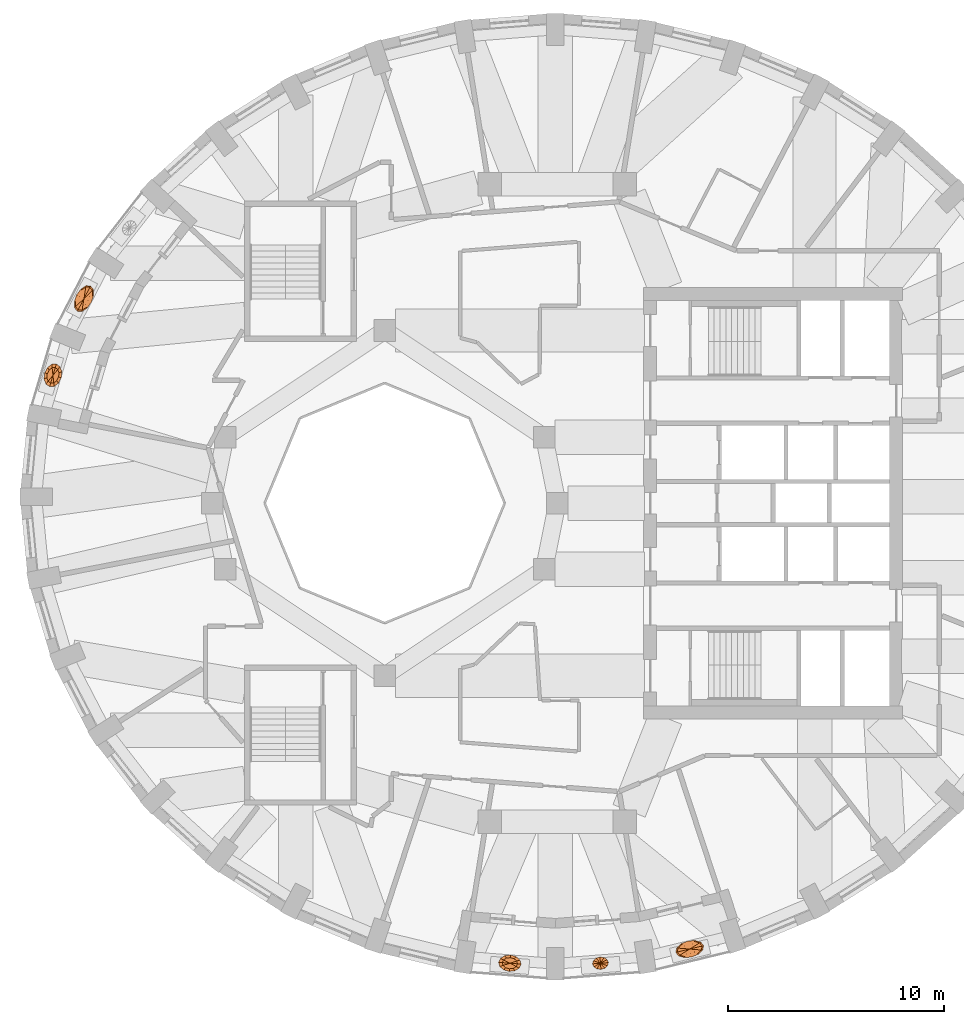
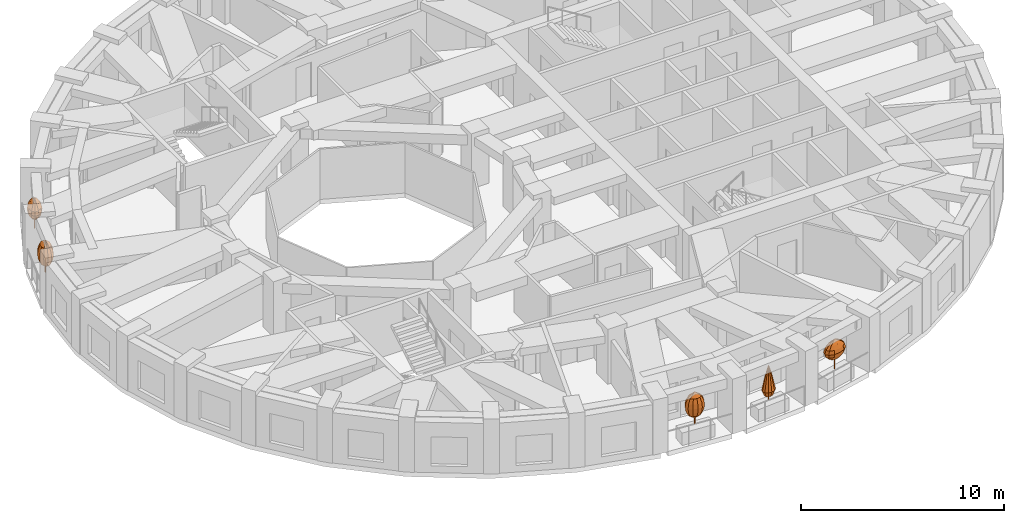
# One storey, part 11 of 12: 5 geographic elements.
"""IFC4 building model written with IfcOpenShell, lengths in metres."""

import ifcopenshell
import ifcopenshell.guid

model = None  # the IFC model being written
_history = None  # IfcOwnerHistory: only IFC2X3 demands one
_inside = {}  # id of a spatial element -> (the spatial element, [elements in it])
_under = {}  # id of a project, library or spatial element -> (it, [spatial elements below it])
_declared = {}  # id of a project -> (the project, [libraries it declares])
_typed = {}  # id of a type object -> (the type object, [elements of that type])
_made_of = {}  # id of a material, layer set ... -> (it, [elements and type objects made of it])


def new_model(schema):
    """Start an empty IFC model of exactly this schema.

    Asked for "IFC4X3", IfcOpenShell would pick the latest addendum, in which some entities
    have other attributes; the version numbers below select the first issue.
    IFC2X3 requires an IfcOwnerHistory on every rooted entity: one is made here for all.
    """
    global model, _history
    if schema == "IFC4X3":
        model = ifcopenshell.file(schema_version=(4, 3, 0, 0))
    else:
        model = ifcopenshell.file(schema=schema)
    _inside.clear()
    _under.clear()
    _declared.clear()
    _typed.clear()
    _made_of.clear()
    _history = None
    if model.schema == "IFC2X3":
        org = make("IfcOrganization", Name="unknown")
        user = make(
            "IfcPersonAndOrganization",
            ThePerson=make("IfcPerson", FamilyName="unknown"),
            TheOrganization=org,
        )
        app = make(
            "IfcApplication",
            ApplicationDeveloper=org,
            Version="unknown",
            ApplicationFullName="unknown",
            ApplicationIdentifier="unknown",
        )
        _history = make(
            "IfcOwnerHistory",
            OwningUser=user,
            OwningApplication=app,
            ChangeAction="ADDED",
            CreationDate=0,
        )
    return model


def make(cls, **values):
    """One entity of the class cls with the attributes given. An attribute that is None is left unset."""
    return model.create_entity(
        cls, **{name: value for name, value in values.items() if value is not None}
    )


def rooted(cls, **values):
    """An entity with a GlobalId (a new one), such as an element, a storey or a relation."""
    return make(cls, GlobalId=ifcopenshell.guid.new(), OwnerHistory=_history, **values)


def si_unit(unit_type, name, prefix=None):
    """IfcSIUnit, for example si_unit("LENGTHUNIT", "METRE", prefix="MILLI")."""
    return make("IfcSIUnit", UnitType=unit_type, Prefix=prefix, Name=name)


def assignment(units):
    """IfcUnitAssignment: the units of a project."""
    return None if units is None else make("IfcUnitAssignment", Units=units)


def point(xyz):
    """IfcCartesianPoint."""
    return None if xyz is None else make("IfcCartesianPoint", Coordinates=xyz)


def direction(xyz):
    """IfcDirection."""
    return None if xyz is None else make("IfcDirection", DirectionRatios=xyz)


def frame(location, z_axis=None, x_axis=None):
    """IfcAxis2Placement3D, a coordinate frame: its origin and axes. An axis left out is left unset."""
    return make(
        "IfcAxis2Placement3D",
        Location=point(location),
        Axis=direction(z_axis),
        RefDirection=direction(x_axis),
    )


def origin():
    """The frame at (0, 0, 0) with its axes left unset."""
    return frame((0.0, 0.0, 0.0))


def place(relative_to, where):
    """IfcLocalPlacement: puts the frame where relative to a parent placement (None: the world)."""
    return make(
        "IfcLocalPlacement", PlacementRelTo=relative_to, RelativePlacement=where
    )


def context(
    kind, dimensions, precision=None, world=None, true_north=None, identifier=None
):
    """IfcGeometricRepresentationContext, for example the 3D "Model" context."""
    return make(
        "IfcGeometricRepresentationContext",
        ContextIdentifier=identifier,
        ContextType=kind,
        CoordinateSpaceDimension=dimensions,
        Precision=precision,
        WorldCoordinateSystem=world,
        TrueNorth=true_north,
    )


def subcontext(parent, identifier, kind, view, scale=None):
    """IfcGeometricRepresentationSubContext, for example "Body" below "Model"."""
    return make(
        "IfcGeometricRepresentationSubContext",
        ContextIdentifier=identifier,
        ContextType=kind,
        ParentContext=parent,
        TargetScale=scale,
        TargetView=view,
    )


def project(units=None, contexts=None):
    """IfcProject with its units and contexts."""
    return rooted(
        "IfcProject",
        Name="project",
        RepresentationContexts=contexts,
        UnitsInContext=assignment(units),
    )


def spatial(cls, under=None, at=None, **own):
    """A site, building, storey or space (cls), placed at a placement, below another one or the project."""
    s = rooted(cls, ObjectPlacement=at, **own)
    if under is not None:
        _under.setdefault(under.id(), (under, []))[1].append(s)
    return s


def faces_of(points, faces, orient=None, outer=None):
    """IfcFace entities. A face is a list of loops; a loop is a list of indices into points, from 0.

    orient and outer hold one flag for each loop. By default every Orientation is true, the
    first loop of a face is its IfcFaceOuterBound and the others are IfcFaceBound.
    """
    made = []
    for i, loops in enumerate(faces):
        bounds = []
        for j, loop in enumerate(loops):
            is_outer = j == 0 if outer is None else outer[i][j]
            bounds.append(
                make(
                    "IfcFaceOuterBound" if is_outer else "IfcFaceBound",
                    Bound=make("IfcPolyLoop", Polygon=[points[k] for k in loop]),
                    Orientation=True if orient is None else orient[i][j],
                )
            )
        made.append(make("IfcFace", Bounds=bounds))
    return made


def faceted_brep(points, faces, orient=None, outer=None, voids=None):
    """IfcFacetedBrep: a solid bounded by flat faces; with voids (closed shells), ...WithVoids."""
    shared = [point(p) for p in points]
    hull = make("IfcClosedShell", CfsFaces=faces_of(shared, faces, orient, outer))
    if voids is None:
        return make("IfcFacetedBrep", Outer=hull)
    return make(
        "IfcFacetedBrepWithVoids",
        Outer=hull,
        Voids=[
            make(cls, CfsFaces=faces_of(shared, fs, o, b)) for cls, fs, o, b in voids
        ],
    )


def shape(context_of_items, identifier, shape_type, items):
    """IfcShapeRepresentation: the items that make up one representation, for example the "Body"."""
    return make(
        "IfcShapeRepresentation",
        ContextOfItems=context_of_items,
        RepresentationIdentifier=identifier,
        RepresentationType=shape_type,
        Items=items,
    )


def material(Name=None, Category=None):
    """IfcMaterial."""
    return make("IfcMaterial", Name=Name, Category=Category)


def constituent(of_material, Name=None, Category=None, fraction=None):
    """IfcMaterialConstituent: one of the materials an element consists of."""
    return make(
        "IfcMaterialConstituent",
        Name=Name,
        Material=of_material,
        Fraction=fraction,
        Category=Category,
    )


def constituent_set(constituents=None, Name=None):
    """IfcMaterialConstituentSet."""
    return make(
        "IfcMaterialConstituentSet", Name=Name, MaterialConstituents=constituents
    )


def made_of(thing, what):
    """Note that an element or type object is made of a material, layer set ...; save() writes the relation."""
    if what is not None:
        _made_of.setdefault(what.id(), (what, []))[1].append(thing)
    return thing


def type_object(cls, material=None, **own):
    """A type object (cls), such as IfcWallType, which elements share."""
    return made_of(rooted(cls, **own), material)


def element(
    cls,
    number,
    at=None,
    inside=None,
    cuts=None,
    type_object=None,
    material=None,
    context=None,
    identifier="Body",
    shape_type=None,
    held_by="IfcProductDefinitionShape",
    body=None,
    shapes=None,
    **own,
):
    """One element of the class cls, such as IfcWall. Its Tag is "e" and its number.

    at: its placement. inside: the storey or other place that contains it. cuts: it is an
    opening in that element (IfcRelVoidsElement). A single representation is given by context,
    identifier, shape_type and body (its items); several are given by shapes. held_by: the class
    of the entity that holds the representations. save() writes the other relations.
    """
    e = rooted(cls, Tag="e%d" % number, ObjectPlacement=at, **own)
    if body is not None:
        shapes = [shape(context, identifier, shape_type, body)]
    if shapes is not None:
        e.Representation = make(held_by, Representations=shapes)
    if inside is not None:
        _inside.setdefault(inside.id(), (inside, []))[1].append(e)
    if cuts is not None:
        rooted(
            "IfcRelVoidsElement", RelatingBuildingElement=cuts, RelatedOpeningElement=e
        )
    if type_object is not None:
        _typed.setdefault(type_object.id(), (type_object, []))[1].append(e)
    return made_of(e, material)


def aggregate(whole, parts):
    """IfcRelAggregates: a whole, such as a stair, and the parts it consists of."""
    return rooted("IfcRelAggregates", RelatingObject=whole, RelatedObjects=parts)


def save(model, path):
    """Write the relations noted so far, then the file.

    IfcRelAggregates (storeys below a building ...), IfcRelContainedInSpatialStructure (elements
    in a storey), IfcRelDefinesByType, IfcRelAssociatesMaterial and IfcRelDeclares: one each for
    every whole, place, type object, material and project.
    """
    for whole, parts in _under.values():
        aggregate(whole, parts)
    for where, things in _inside.values():
        rooted(
            "IfcRelContainedInSpatialStructure",
            RelatedElements=things,
            RelatingStructure=where,
        )
    for kind, things in _typed.values():
        rooted("IfcRelDefinesByType", RelatedObjects=things, RelatingType=kind)
    for what, things in _made_of.values():
        rooted("IfcRelAssociatesMaterial", RelatedObjects=things, RelatingMaterial=what)
    for by, libraries in _declared.values():
        rooted("IfcRelDeclares", RelatingContext=by, RelatedDefinitions=libraries)
    model.write(path)


model = new_model("IFC4")

# Units and contexts
model_context = context("Model", 3, precision=1e-05, world=origin(), true_north=direction((0.0, 1.0)))
body_context = subcontext(model_context, "Body", "Model", "MODEL_VIEW")
ifc_project = project(units=[si_unit("LENGTHUNIT", "METRE"), si_unit("AREAUNIT", "SQUARE_METRE"), si_unit("VOLUMEUNIT", "CUBIC_METRE"), si_unit("PLANEANGLEUNIT", "RADIAN"), si_unit("MASSUNIT", "GRAM", prefix="KILO")], contexts=[model_context])

# Site, building, storey
site_placement = place(None, origin())
site = spatial("IfcSite", under=ifc_project, at=site_placement, CompositionType="ELEMENT")
building_placement = place(site_placement, origin())
building = spatial("IfcBuilding", under=site, at=building_placement, Name="Taillehof Tower", CompositionType="ELEMENT")
storey_placement = place(building_placement, frame((0.0, 0.0, 246.5)))
storey = spatial("IfcBuildingStorey", under=building, at=storey_placement, Name="L70", CompositionType="ELEMENT", Elevation=246.5)

# Geographic elements
ifc_material_1 = material(Name="Tree bark", Category="timber")
ifc_constituent_1 = constituent(ifc_material_1, Name="Trunk", Category="timber")
ifc_material_2 = material(Name="Tree foliage")
ifc_constituent_2 = constituent(ifc_material_2, Name="Crown")
ifc_constituent_set_1 = constituent_set(constituents=[ifc_constituent_1, ifc_constituent_2], Name="Tree TR2 Fastigiate yew")
geographic_element_type_1 = type_object("IfcGeographicElementType", Name="Tree TR2 Fastigiate yew", PredefinedType="USERDEFINED", material=ifc_constituent_set_1)
geographic_element_1_placement = place(storey_placement, frame((-2.19921875, -21.32275390625, 0.75)))
element("IfcGeographicElement", 1, at=geographic_element_1_placement, inside=storey, type_object=geographic_element_type_1, Name="Tree TR2 Fastigiate yew", ObjectType="TREE", PredefinedType="USERDEFINED", context=body_context, shape_type="Brep", body=[
    faceted_brep([(0.034912109375, 0.0, 0.0), (0.024658203125, 0.024658203125, 0.0), (0.024658203125, 0.024658203125, 0.909912109375), (0.034912109375, 0.0, 0.909912109375), (0.0, 0.034912109375, 0.0), (0.0, 0.034912109375, 0.909912109375), (-0.024658203125, 0.024658203125, 0.0), (-0.024658203125, 0.024658203125, 0.909912109375), (-0.034912109375, 0.0, 0.0), (-0.034912109375, 0.0, 0.909912109375), (-0.024658203125, -0.024658203125, 0.0), (-0.024658203125, -0.024658203125, 0.909912109375), (0.0, -0.034912109375, 0.0), (0.0, -0.034912109375, 0.909912109375), (0.024658203125, -0.024658203125, 0.0), (0.024658203125, -0.024658203125, 0.909912109375)], [[[0, 1, 2, 3]], [[1, 4, 5, 2]], [[4, 6, 7, 5]], [[6, 8, 9, 7]], [[8, 10, 11, 9]], [[10, 12, 13, 11]], [[12, 14, 15, 13]], [[14, 0, 3, 15]], [[14, 12, 10, 8, 6, 4, 1, 0]], [[3, 2, 5, 7, 9, 11, 13, 15]]]),
    faceted_brep([(0.0, 0.0, 0.35009765625), (0.318359375, 0.105224609375, 0.61669921875), (0.355712890625, -0.028076171875, 0.61669921875), (0.195556640625, 0.2099609375, 0.61669921875), (0.020263671875, 0.2587890625, 0.61669921875), (-0.16015625, 0.238037109375, 0.61669921875), (-0.2978515625, 0.153564453125, 0.61669921875), (-0.355712890625, 0.028076171875, 0.61669921875), (-0.318359375, -0.105224609375, 0.61669921875), (-0.195556640625, -0.2099609375, 0.61669921875), (-0.020263671875, -0.2587890625, 0.61669921875), (0.16015625, -0.238037109375, 0.61669921875), (0.2978515625, -0.153564453125, 0.61669921875), (0.4306640625, 0.14208984375, 0.88330078125), (0.481201171875, -0.037841796875, 0.88330078125), (0.264404296875, 0.2841796875, 0.88330078125), (0.027587890625, 0.35009765625, 0.88330078125), (-0.216796875, 0.322021484375, 0.88330078125), (-0.403076171875, 0.207763671875, 0.88330078125), (-0.481201171875, 0.037841796875, 0.88330078125), (-0.4306640625, -0.14208984375, 0.88330078125), (-0.264404296875, -0.2841796875, 0.88330078125), (-0.027587890625, -0.35009765625, 0.88330078125), (0.216796875, -0.322021484375, 0.88330078125), (0.403076171875, -0.207763671875, 0.88330078125), (0.466064453125, 0.15380859375, 1.14990234375), (0.52099609375, -0.041015625, 1.14990234375), (0.286376953125, 0.3076171875, 1.14990234375), (0.02978515625, 0.37890625, 1.14990234375), (-0.234619140625, 0.3486328125, 1.14990234375), (-0.436279296875, 0.224853515625, 1.14990234375), (-0.52099609375, 0.041015625, 1.14990234375), (-0.466064453125, -0.15380859375, 1.14990234375), (-0.286376953125, -0.3076171875, 1.14990234375), (-0.02978515625, -0.37890625, 1.14990234375), (0.234619140625, -0.3486328125, 1.14990234375), (0.436279296875, -0.224853515625, 1.14990234375), (0.4306640625, 0.14208984375, 1.416748046875), (0.481201171875, -0.037841796875, 1.416748046875), (0.264404296875, 0.2841796875, 1.416748046875), (0.027587890625, 0.35009765625, 1.416748046875), (-0.216796875, 0.322021484375, 1.416748046875), (-0.403076171875, 0.207763671875, 1.416748046875), (-0.481201171875, 0.037841796875, 1.416748046875), (-0.4306640625, -0.14208984375, 1.416748046875), (-0.264404296875, -0.2841796875, 1.416748046875), (-0.027587890625, -0.35009765625, 1.416748046875), (0.216796875, -0.322021484375, 1.416748046875), (0.403076171875, -0.207763671875, 1.416748046875), (0.318359375, 0.105224609375, 1.683349609375), (0.355712890625, -0.028076171875, 1.683349609375), (0.195556640625, 0.2099609375, 1.683349609375), (0.020263671875, 0.2587890625, 1.683349609375), (-0.16015625, 0.238037109375, 1.683349609375), (-0.2978515625, 0.153564453125, 1.683349609375), (-0.355712890625, 0.028076171875, 1.683349609375), (-0.318359375, -0.105224609375, 1.683349609375), (-0.195556640625, -0.2099609375, 1.683349609375), (-0.020263671875, -0.2587890625, 1.683349609375), (0.16015625, -0.238037109375, 1.683349609375), (0.2978515625, -0.153564453125, 1.683349609375), (0.0, 0.0, 1.949951171875)], [[[0, 1, 2]], [[0, 3, 1]], [[0, 4, 3]], [[0, 5, 4]], [[0, 6, 5]], [[0, 7, 6]], [[0, 8, 7]], [[0, 9, 8]], [[0, 10, 9]], [[0, 11, 10]], [[0, 12, 11]], [[0, 2, 12]], [[2, 1, 13, 14]], [[1, 3, 15, 13]], [[3, 4, 16, 15]], [[4, 5, 17, 16]], [[5, 6, 18, 17]], [[6, 7, 19, 18]], [[7, 8, 20, 19]], [[8, 9, 21, 20]], [[9, 10, 22, 21]], [[10, 11, 23, 22]], [[11, 12, 24, 23]], [[12, 2, 14, 24]], [[14, 13, 25, 26]], [[13, 15, 27, 25]], [[15, 16, 28, 27]], [[16, 17, 29, 28]], [[17, 18, 30, 29]], [[18, 19, 31, 30]], [[19, 20, 32, 31]], [[20, 21, 33, 32]], [[21, 22, 34, 33]], [[22, 23, 35, 34]], [[23, 24, 36, 35]], [[24, 14, 26, 36]], [[26, 25, 37, 38]], [[25, 27, 39, 37]], [[27, 28, 40, 39]], [[28, 29, 41, 40]], [[29, 30, 42, 41]], [[30, 31, 43, 42]], [[31, 32, 44, 43]], [[32, 33, 45, 44]], [[33, 34, 46, 45]], [[34, 35, 47, 46]], [[35, 36, 48, 47]], [[36, 26, 38, 48]], [[38, 37, 49, 50]], [[37, 39, 51, 49]], [[39, 40, 52, 51]], [[40, 41, 53, 52]], [[41, 42, 54, 53]], [[42, 43, 55, 54]], [[43, 44, 56, 55]], [[44, 45, 57, 56]], [[45, 46, 58, 57]], [[46, 47, 59, 58]], [[47, 48, 60, 59]], [[48, 38, 50, 60]], [[50, 49, 61]], [[49, 51, 61]], [[51, 52, 61]], [[52, 53, 61]], [[53, 54, 61]], [[54, 55, 61]], [[55, 56, 61]], [[56, 57, 61]], [[57, 58, 61]], [[58, 59, 61]], [[59, 60, 61]], [[60, 50, 61]]]),
])
geographic_element_2_placement = place(storey_placement, frame((-23.373291015625, 5.92041015625, 0.75)))
element("IfcGeographicElement", 2, at=geographic_element_2_placement, inside=storey, type_object=geographic_element_type_1, Name="Tree TR2 Fastigiate yew", ObjectType="TREE", PredefinedType="USERDEFINED", context=body_context, shape_type="Brep", body=[
    faceted_brep([(0.034912109375, 0.0, 0.0), (0.024658203125, 0.024658203125, 0.0), (0.024658203125, 0.024658203125, 0.909912109375), (0.034912109375, 0.0, 0.909912109375), (0.0, 0.034912109375, 0.0), (0.0, 0.034912109375, 0.909912109375), (-0.024658203125, 0.024658203125, 0.0), (-0.024658203125, 0.024658203125, 0.909912109375), (-0.034912109375, 0.0, 0.0), (-0.034912109375, 0.0, 0.909912109375), (-0.024658203125, -0.024658203125, 0.0), (-0.024658203125, -0.024658203125, 0.909912109375), (0.0, -0.034912109375, 0.0), (0.0, -0.034912109375, 0.909912109375), (0.024658203125, -0.024658203125, 0.0), (0.024658203125, -0.024658203125, 0.909912109375)], [[[0, 1, 2, 3]], [[1, 4, 5, 2]], [[4, 6, 7, 5]], [[6, 8, 9, 7]], [[8, 10, 11, 9]], [[10, 12, 13, 11]], [[12, 14, 15, 13]], [[14, 0, 3, 15]], [[14, 12, 10, 8, 6, 4, 1, 0]], [[3, 2, 5, 7, 9, 11, 13, 15]]]),
    faceted_brep([(0.0, 0.0, 0.35009765625), (0.0380859375, -0.350830078125, 0.61669921875), (-0.107177734375, -0.360107421875, 0.61669921875), (0.173095703125, -0.24755859375, 0.61669921875), (0.261962890625, -0.077880859375, 0.61669921875), (0.2802734375, 0.112548828125, 0.61669921875), (0.2236328125, 0.27294921875, 0.61669921875), (0.107177734375, 0.360107421875, 0.61669921875), (-0.0380859375, 0.350830078125, 0.61669921875), (-0.173095703125, 0.24755859375, 0.61669921875), (-0.261962890625, 0.077880859375, 0.61669921875), (-0.2802734375, -0.112548828125, 0.61669921875), (-0.2236328125, -0.27294921875, 0.61669921875), (0.051513671875, -0.474609375, 0.88330078125), (-0.14501953125, -0.487060546875, 0.88330078125), (0.234375, -0.334716796875, 0.88330078125), (0.354248046875, -0.10546875, 0.88330078125), (0.379150390625, 0.15234375, 0.88330078125), (0.302734375, 0.369140625, 0.88330078125), (0.14501953125, 0.487060546875, 0.88330078125), (-0.051513671875, 0.474609375, 0.88330078125), (-0.234375, 0.334716796875, 0.88330078125), (-0.354248046875, 0.10546875, 0.88330078125), (-0.379150390625, -0.15234375, 0.88330078125), (-0.302734375, -0.369140625, 0.88330078125), (0.055908203125, -0.513671875, 1.14990234375), (-0.156982421875, -0.527099609375, 1.14990234375), (0.253662109375, -0.3623046875, 1.14990234375), (0.38330078125, -0.114013671875, 1.14990234375), (0.410400390625, 0.164794921875, 1.14990234375), (0.32763671875, 0.3994140625, 1.14990234375), (0.156982421875, 0.527099609375, 1.14990234375), (-0.055908203125, 0.513671875, 1.14990234375), (-0.253662109375, 0.3623046875, 1.14990234375), (-0.38330078125, 0.114013671875, 1.14990234375), (-0.410400390625, -0.164794921875, 1.14990234375), (-0.32763671875, -0.3994140625, 1.14990234375), (0.051513671875, -0.474609375, 1.416748046875), (-0.14501953125, -0.487060546875, 1.416748046875), (0.234375, -0.334716796875, 1.416748046875), (0.354248046875, -0.10546875, 1.416748046875), (0.379150390625, 0.15234375, 1.416748046875), (0.302734375, 0.369140625, 1.416748046875), (0.14501953125, 0.487060546875, 1.416748046875), (-0.051513671875, 0.474609375, 1.416748046875), (-0.234375, 0.334716796875, 1.416748046875), (-0.354248046875, 0.10546875, 1.416748046875), (-0.379150390625, -0.15234375, 1.416748046875), (-0.302734375, -0.369140625, 1.416748046875), (0.0380859375, -0.350830078125, 1.683349609375), (-0.107177734375, -0.360107421875, 1.683349609375), (0.173095703125, -0.24755859375, 1.683349609375), (0.261962890625, -0.077880859375, 1.683349609375), (0.2802734375, 0.112548828125, 1.683349609375), (0.2236328125, 0.27294921875, 1.683349609375), (0.107177734375, 0.360107421875, 1.683349609375), (-0.0380859375, 0.350830078125, 1.683349609375), (-0.173095703125, 0.24755859375, 1.683349609375), (-0.261962890625, 0.077880859375, 1.683349609375), (-0.2802734375, -0.112548828125, 1.683349609375), (-0.2236328125, -0.27294921875, 1.683349609375), (0.0, 0.0, 1.949951171875)], [[[0, 1, 2]], [[0, 3, 1]], [[0, 4, 3]], [[0, 5, 4]], [[0, 6, 5]], [[0, 7, 6]], [[0, 8, 7]], [[0, 9, 8]], [[0, 10, 9]], [[0, 11, 10]], [[0, 12, 11]], [[0, 2, 12]], [[2, 1, 13, 14]], [[1, 3, 15, 13]], [[3, 4, 16, 15]], [[4, 5, 17, 16]], [[5, 6, 18, 17]], [[6, 7, 19, 18]], [[7, 8, 20, 19]], [[8, 9, 21, 20]], [[9, 10, 22, 21]], [[10, 11, 23, 22]], [[11, 12, 24, 23]], [[12, 2, 14, 24]], [[14, 13, 25, 26]], [[13, 15, 27, 25]], [[15, 16, 28, 27]], [[16, 17, 29, 28]], [[17, 18, 30, 29]], [[18, 19, 31, 30]], [[19, 20, 32, 31]], [[20, 21, 33, 32]], [[21, 22, 34, 33]], [[22, 23, 35, 34]], [[23, 24, 36, 35]], [[24, 14, 26, 36]], [[26, 25, 37, 38]], [[25, 27, 39, 37]], [[27, 28, 40, 39]], [[28, 29, 41, 40]], [[29, 30, 42, 41]], [[30, 31, 43, 42]], [[31, 32, 44, 43]], [[32, 33, 45, 44]], [[33, 34, 46, 45]], [[34, 35, 47, 46]], [[35, 36, 48, 47]], [[36, 26, 38, 48]], [[38, 37, 49, 50]], [[37, 39, 51, 49]], [[39, 40, 52, 51]], [[40, 41, 53, 52]], [[41, 42, 54, 53]], [[42, 43, 55, 54]], [[43, 44, 56, 55]], [[44, 45, 57, 56]], [[45, 46, 58, 57]], [[46, 47, 59, 58]], [[47, 48, 60, 59]], [[48, 38, 50, 60]], [[50, 49, 61]], [[49, 51, 61]], [[51, 52, 61]], [[52, 53, 61]], [[53, 54, 61]], [[54, 55, 61]], [[55, 56, 61]], [[56, 57, 61]], [[57, 58, 61]], [[58, 59, 61]], [[59, 60, 61]], [[60, 50, 61]]]),
])
ifc_material_3 = material(Name="Tree bark", Category="timber")
ifc_constituent_3 = constituent(ifc_material_3, Name="Trunk", Category="timber")
ifc_material_4 = material(Name="Tree foliage")
ifc_constituent_4 = constituent(ifc_material_4, Name="Crown")
ifc_constituent_set_2 = constituent_set(constituents=[ifc_constituent_3, ifc_constituent_4], Name="Tree TR4 Sea buckthorn standard")
geographic_element_type_2 = type_object("IfcGeographicElementType", Name="Tree TR4 Sea buckthorn standard", PredefinedType="USERDEFINED", material=ifc_constituent_set_2)
geographic_element_3_placement = place(storey_placement, frame((6.1337890625, -20.666259765625, 0.75)))
element("IfcGeographicElement", 3, at=geographic_element_3_placement, inside=storey, type_object=geographic_element_type_2, Name="Tree TR4 Sea buckthorn standard", ObjectType="TREE", PredefinedType="USERDEFINED", context=body_context, shape_type="Brep", body=[
    faceted_brep([(0.030029296875, 0.0, 0.0), (0.021240234375, 0.021240234375, 0.0), (0.021240234375, 0.021240234375, 0.98095703125), (0.030029296875, 0.0, 0.98095703125), (0.0, 0.030029296875, 0.0), (0.0, 0.030029296875, 0.98095703125), (-0.021240234375, 0.021240234375, 0.0), (-0.021240234375, 0.021240234375, 0.98095703125), (-0.030029296875, 0.0, 0.0), (-0.030029296875, 0.0, 0.98095703125), (-0.021240234375, -0.021240234375, 0.0), (-0.021240234375, -0.021240234375, 0.98095703125), (0.0, -0.030029296875, 0.0), (0.0, -0.030029296875, 0.98095703125), (0.021240234375, -0.021240234375, 0.0), (0.021240234375, -0.021240234375, 0.98095703125)], [[[0, 1, 2, 3]], [[1, 4, 5, 2]], [[4, 6, 7, 5]], [[6, 8, 9, 7]], [[8, 10, 11, 9]], [[10, 12, 13, 11]], [[12, 14, 15, 13]], [[14, 0, 3, 15]], [[14, 12, 10, 8, 6, 4, 1, 0]], [[3, 2, 5, 7, 9, 11, 13, 15]]]),
    faceted_brep([(0.0, 0.0, 0.5400390625), (0.2958984375, 0.18359375, 0.75), (0.371337890625, 0.089599609375, 0.75), (0.141357421875, 0.228515625, 0.75), (-0.05126953125, 0.212158203125, 0.75), (-0.22998046875, 0.138916015625, 0.75), (-0.34716796875, 0.028564453125, 0.75), (-0.371337890625, -0.089599609375, 0.75), (-0.2958984375, -0.18359375, 0.75), (-0.141357421875, -0.228515625, 0.75), (0.05126953125, -0.212158203125, 0.75), (0.22998046875, -0.138916015625, 0.75), (0.34716796875, -0.028564453125, 0.75), (0.459228515625, 0.284912109375, 0.9599609375), (0.576171875, 0.138916015625, 0.9599609375), (0.21923828125, 0.354736328125, 0.9599609375), (-0.079345703125, 0.329345703125, 0.9599609375), (-0.35693359375, 0.215576171875, 0.9599609375), (-0.538818359375, 0.044189453125, 0.9599609375), (-0.576171875, -0.138916015625, 0.9599609375), (-0.459228515625, -0.284912109375, 0.9599609375), (-0.21923828125, -0.354736328125, 0.9599609375), (0.079345703125, -0.329345703125, 0.9599609375), (0.35693359375, -0.215576171875, 0.9599609375), (0.538818359375, -0.044189453125, 0.9599609375), (0.515380859375, 0.31982421875, 1.169921875), (0.646484375, 0.156005859375, 1.169921875), (0.24609375, 0.39794921875, 1.169921875), (-0.089111328125, 0.369384765625, 1.169921875), (-0.400390625, 0.241943359375, 1.169921875), (-0.6044921875, 0.049560546875, 1.169921875), (-0.646484375, -0.156005859375, 1.169921875), (-0.515380859375, -0.31982421875, 1.169921875), (-0.24609375, -0.39794921875, 1.169921875), (0.089111328125, -0.369384765625, 1.169921875), (0.400390625, -0.241943359375, 1.169921875), (0.6044921875, -0.049560546875, 1.169921875), (0.459228515625, 0.284912109375, 1.3798828125), (0.576171875, 0.138916015625, 1.3798828125), (0.21923828125, 0.354736328125, 1.3798828125), (-0.079345703125, 0.329345703125, 1.3798828125), (-0.35693359375, 0.215576171875, 1.3798828125), (-0.538818359375, 0.044189453125, 1.3798828125), (-0.576171875, -0.138916015625, 1.3798828125), (-0.459228515625, -0.284912109375, 1.3798828125), (-0.21923828125, -0.354736328125, 1.3798828125), (0.079345703125, -0.329345703125, 1.3798828125), (0.35693359375, -0.215576171875, 1.3798828125), (0.538818359375, -0.044189453125, 1.3798828125), (0.2958984375, 0.18359375, 1.590087890625), (0.371337890625, 0.089599609375, 1.590087890625), (0.141357421875, 0.228515625, 1.590087890625), (-0.05126953125, 0.212158203125, 1.590087890625), (-0.22998046875, 0.138916015625, 1.590087890625), (-0.34716796875, 0.028564453125, 1.590087890625), (-0.371337890625, -0.089599609375, 1.590087890625), (-0.2958984375, -0.18359375, 1.590087890625), (-0.141357421875, -0.228515625, 1.590087890625), (0.05126953125, -0.212158203125, 1.590087890625), (0.22998046875, -0.138916015625, 1.590087890625), (0.34716796875, -0.028564453125, 1.590087890625), (0.0, 0.0, 1.800048828125)], [[[0, 1, 2]], [[0, 3, 1]], [[0, 4, 3]], [[0, 5, 4]], [[0, 6, 5]], [[0, 7, 6]], [[0, 8, 7]], [[0, 9, 8]], [[0, 10, 9]], [[0, 11, 10]], [[0, 12, 11]], [[0, 2, 12]], [[2, 1, 13, 14]], [[1, 3, 15, 13]], [[3, 4, 16, 15]], [[4, 5, 17, 16]], [[5, 6, 18, 17]], [[6, 7, 19, 18]], [[7, 8, 20, 19]], [[8, 9, 21, 20]], [[9, 10, 22, 21]], [[10, 11, 23, 22]], [[11, 12, 24, 23]], [[12, 2, 14, 24]], [[14, 13, 25, 26]], [[13, 15, 27, 25]], [[15, 16, 28, 27]], [[16, 17, 29, 28]], [[17, 18, 30, 29]], [[18, 19, 31, 30]], [[19, 20, 32, 31]], [[20, 21, 33, 32]], [[21, 22, 34, 33]], [[22, 23, 35, 34]], [[23, 24, 36, 35]], [[24, 14, 26, 36]], [[26, 25, 37, 38]], [[25, 27, 39, 37]], [[27, 28, 40, 39]], [[28, 29, 41, 40]], [[29, 30, 42, 41]], [[30, 31, 43, 42]], [[31, 32, 44, 43]], [[32, 33, 45, 44]], [[33, 34, 46, 45]], [[34, 35, 47, 46]], [[35, 36, 48, 47]], [[36, 26, 38, 48]], [[38, 37, 49, 50]], [[37, 39, 51, 49]], [[39, 40, 52, 51]], [[40, 41, 53, 52]], [[41, 42, 54, 53]], [[42, 43, 55, 54]], [[43, 44, 56, 55]], [[44, 45, 57, 56]], [[45, 46, 58, 57]], [[46, 47, 59, 58]], [[47, 48, 60, 59]], [[48, 38, 50, 60]], [[50, 49, 61]], [[49, 51, 61]], [[51, 52, 61]], [[52, 53, 61]], [[53, 54, 61]], [[54, 55, 61]], [[55, 56, 61]], [[56, 57, 61]], [[57, 58, 61]], [[58, 59, 61]], [[59, 60, 61]], [[60, 50, 61]]]),
])
geographic_element_4_placement = place(storey_placement, frame((-21.935791015625, 9.4765625, 0.75)))
element("IfcGeographicElement", 4, at=geographic_element_4_placement, inside=storey, type_object=geographic_element_type_2, Name="Tree TR4 Sea buckthorn standard", ObjectType="TREE", PredefinedType="USERDEFINED", context=body_context, shape_type="Brep", body=[
    faceted_brep([(0.030029296875, 0.0, 0.0), (0.021240234375, 0.021240234375, 0.0), (0.021240234375, 0.021240234375, 0.98095703125), (0.030029296875, 0.0, 0.98095703125), (0.0, 0.030029296875, 0.0), (0.0, 0.030029296875, 0.98095703125), (-0.021240234375, 0.021240234375, 0.0), (-0.021240234375, 0.021240234375, 0.98095703125), (-0.030029296875, 0.0, 0.0), (-0.030029296875, 0.0, 0.98095703125), (-0.021240234375, -0.021240234375, 0.0), (-0.021240234375, -0.021240234375, 0.98095703125), (0.0, -0.030029296875, 0.0), (0.0, -0.030029296875, 0.98095703125), (0.021240234375, -0.021240234375, 0.0), (0.021240234375, -0.021240234375, 0.98095703125)], [[[0, 1, 2, 3]], [[1, 4, 5, 2]], [[4, 6, 7, 5]], [[6, 8, 9, 7]], [[8, 10, 11, 9]], [[10, 12, 13, 11]], [[12, 14, 15, 13]], [[14, 0, 3, 15]], [[14, 12, 10, 8, 6, 4, 1, 0]], [[3, 2, 5, 7, 9, 11, 13, 15]]]),
    faceted_brep([(0.0, 0.0, 0.5400390625), (-0.05517578125, -0.343994140625, 0.75), (-0.175537109375, -0.339111328125, 0.75), (0.080078125, -0.256591796875, 0.75), (0.19384765625, -0.100341796875, 0.75), (0.255615234375, 0.082763671875, 0.75), (0.2490234375, 0.24365234375, 0.75), (0.175537109375, 0.339111328125, 0.75), (0.05517578125, 0.343994140625, 0.75), (-0.080078125, 0.256591796875, 0.75), (-0.19384765625, 0.100341796875, 0.75), (-0.255615234375, -0.082763671875, 0.75), (-0.2490234375, -0.24365234375, 0.75), (-0.085693359375, -0.53369140625, 0.9599609375), (-0.272705078125, -0.5263671875, 0.9599609375), (0.124267578125, -0.39794921875, 0.9599609375), (0.30078125, -0.15576171875, 0.9599609375), (0.396728515625, 0.128173828125, 0.9599609375), (0.386474609375, 0.3779296875, 0.9599609375), (0.272705078125, 0.5263671875, 0.9599609375), (0.085693359375, 0.53369140625, 0.9599609375), (-0.124267578125, 0.39794921875, 0.9599609375), (-0.30078125, 0.15576171875, 0.9599609375), (-0.396728515625, -0.128173828125, 0.9599609375), (-0.386474609375, -0.3779296875, 0.9599609375), (-0.09619140625, -0.598876953125, 1.169921875), (-0.305908203125, -0.590576171875, 1.169921875), (0.139404296875, -0.446533203125, 1.169921875), (0.33740234375, -0.1748046875, 1.169921875), (0.445068359375, 0.143798828125, 1.169921875), (0.43359375, 0.424072265625, 1.169921875), (0.305908203125, 0.590576171875, 1.169921875), (0.09619140625, 0.598876953125, 1.169921875), (-0.139404296875, 0.446533203125, 1.169921875), (-0.33740234375, 0.1748046875, 1.169921875), (-0.445068359375, -0.143798828125, 1.169921875), (-0.43359375, -0.424072265625, 1.169921875), (-0.085693359375, -0.53369140625, 1.3798828125), (-0.272705078125, -0.5263671875, 1.3798828125), (0.124267578125, -0.39794921875, 1.3798828125), (0.30078125, -0.15576171875, 1.3798828125), (0.396728515625, 0.128173828125, 1.3798828125), (0.386474609375, 0.3779296875, 1.3798828125), (0.272705078125, 0.5263671875, 1.3798828125), (0.085693359375, 0.53369140625, 1.3798828125), (-0.124267578125, 0.39794921875, 1.3798828125), (-0.30078125, 0.15576171875, 1.3798828125), (-0.396728515625, -0.128173828125, 1.3798828125), (-0.386474609375, -0.3779296875, 1.3798828125), (-0.05517578125, -0.343994140625, 1.590087890625), (-0.175537109375, -0.339111328125, 1.590087890625), (0.080078125, -0.256591796875, 1.590087890625), (0.19384765625, -0.100341796875, 1.590087890625), (0.255615234375, 0.082763671875, 1.590087890625), (0.2490234375, 0.24365234375, 1.590087890625), (0.175537109375, 0.339111328125, 1.590087890625), (0.05517578125, 0.343994140625, 1.590087890625), (-0.080078125, 0.256591796875, 1.590087890625), (-0.19384765625, 0.100341796875, 1.590087890625), (-0.255615234375, -0.082763671875, 1.590087890625), (-0.2490234375, -0.24365234375, 1.590087890625), (0.0, 0.0, 1.800048828125)], [[[0, 1, 2]], [[0, 3, 1]], [[0, 4, 3]], [[0, 5, 4]], [[0, 6, 5]], [[0, 7, 6]], [[0, 8, 7]], [[0, 9, 8]], [[0, 10, 9]], [[0, 11, 10]], [[0, 12, 11]], [[0, 2, 12]], [[2, 1, 13, 14]], [[1, 3, 15, 13]], [[3, 4, 16, 15]], [[4, 5, 17, 16]], [[5, 6, 18, 17]], [[6, 7, 19, 18]], [[7, 8, 20, 19]], [[8, 9, 21, 20]], [[9, 10, 22, 21]], [[10, 11, 23, 22]], [[11, 12, 24, 23]], [[12, 2, 14, 24]], [[14, 13, 25, 26]], [[13, 15, 27, 25]], [[15, 16, 28, 27]], [[16, 17, 29, 28]], [[17, 18, 30, 29]], [[18, 19, 31, 30]], [[19, 20, 32, 31]], [[20, 21, 33, 32]], [[21, 22, 34, 33]], [[22, 23, 35, 34]], [[23, 24, 36, 35]], [[24, 14, 26, 36]], [[26, 25, 37, 38]], [[25, 27, 39, 37]], [[27, 28, 40, 39]], [[28, 29, 41, 40]], [[29, 30, 42, 41]], [[30, 31, 43, 42]], [[31, 32, 44, 43]], [[32, 33, 45, 44]], [[33, 34, 46, 45]], [[34, 35, 47, 46]], [[35, 36, 48, 47]], [[36, 26, 38, 48]], [[38, 37, 49, 50]], [[37, 39, 51, 49]], [[39, 40, 52, 51]], [[40, 41, 53, 52]], [[41, 42, 54, 53]], [[42, 43, 55, 54]], [[43, 44, 56, 55]], [[44, 45, 57, 56]], [[45, 46, 58, 57]], [[46, 47, 59, 58]], [[47, 48, 60, 59]], [[48, 38, 50, 60]], [[50, 49, 61]], [[49, 51, 61]], [[51, 52, 61]], [[52, 53, 61]], [[53, 54, 61]], [[54, 55, 61]], [[55, 56, 61]], [[56, 57, 61]], [[57, 58, 61]], [[58, 59, 61]], [[59, 60, 61]], [[60, 50, 61]]]),
])
ifc_material_5 = material(Name="Tree bark", Category="timber")
ifc_constituent_5 = constituent(ifc_material_5, Name="Trunk", Category="timber")
ifc_material_6 = material(Name="Tree foliage")
ifc_constituent_6 = constituent(ifc_material_6, Name="Crown")
ifc_constituent_set_3 = constituent_set(constituents=[ifc_constituent_5, ifc_constituent_6], Name="Tree TR5 Columnar juniper")
geographic_element_type_3 = type_object("IfcGeographicElementType", Name="Tree TR5 Columnar juniper", PredefinedType="USERDEFINED", material=ifc_constituent_set_3)
geographic_element_5_placement = place(storey_placement, frame((1.999267578125, -21.32275390625, 0.75)))
element("IfcGeographicElement", 5, at=geographic_element_5_placement, inside=storey, type_object=geographic_element_type_3, Name="Tree TR5 Columnar juniper", ObjectType="TREE", PredefinedType="USERDEFINED", context=body_context, shape_type="Brep", body=[
    faceted_brep([(0.02490234375, 0.0, 0.0), (0.017578125, 0.017578125, 0.0), (0.017578125, 0.017578125, 0.929931640625), (0.02490234375, 0.0, 0.929931640625), (0.0, 0.02490234375, 0.0), (0.0, 0.02490234375, 0.929931640625), (-0.017578125, 0.017578125, 0.0), (-0.017578125, 0.017578125, 0.929931640625), (-0.02490234375, 0.0, 0.0), (-0.02490234375, 0.0, 0.929931640625), (-0.017578125, -0.017578125, 0.0), (-0.017578125, -0.017578125, 0.929931640625), (0.0, -0.02490234375, 0.0), (0.0, -0.02490234375, 0.929931640625), (0.017578125, -0.017578125, 0.0), (0.017578125, -0.017578125, 0.929931640625)], [[[0, 1, 2, 3]], [[1, 4, 5, 2]], [[4, 6, 7, 5]], [[6, 8, 9, 7]], [[8, 10, 11, 9]], [[10, 12, 13, 11]], [[12, 14, 15, 13]], [[14, 0, 3, 15]], [[14, 12, 10, 8, 6, 4, 1, 0]], [[3, 2, 5, 7, 9, 11, 13, 15]]]),
    faceted_brep([(0.246826171875, 0.01953125, 0.300048828125), (0.2060546875, 0.11279296875, 0.300048828125), (0.3076171875, 0.16845703125, 0.60009765625), (0.368408203125, 0.029052734375, 0.60009765625), (0.1103515625, 0.176025390625, 0.300048828125), (0.16455078125, 0.2626953125, 0.60009765625), (-0.01513671875, 0.19189453125, 0.300048828125), (-0.0224609375, 0.286376953125, 0.60009765625), (-0.136474609375, 0.156494140625, 0.300048828125), (-0.20361328125, 0.233642578125, 0.60009765625), (-0.22119140625, 0.0791015625, 0.300048828125), (-0.330322265625, 0.1181640625, 0.60009765625), (-0.246826171875, -0.01953125, 0.300048828125), (-0.368408203125, -0.029052734375, 0.60009765625), (-0.2060546875, -0.11279296875, 0.300048828125), (-0.3076171875, -0.16845703125, 0.60009765625), (-0.1103515625, -0.176025390625, 0.300048828125), (-0.16455078125, -0.2626953125, 0.60009765625), (0.01513671875, -0.19189453125, 0.300048828125), (0.0224609375, -0.286376953125, 0.60009765625), (0.136474609375, -0.156494140625, 0.300048828125), (0.20361328125, -0.233642578125, 0.60009765625), (0.22119140625, -0.0791015625, 0.300048828125), (0.330322265625, -0.1181640625, 0.60009765625), (0.25732421875, 0.140869140625, 0.89990234375), (0.30810546875, 0.024169921875, 0.89990234375), (0.1376953125, 0.2197265625, 0.89990234375), (-0.018798828125, 0.23974609375, 0.89990234375), (-0.17041015625, 0.1953125, 0.89990234375), (-0.2763671875, 0.098876953125, 0.89990234375), (-0.30810546875, -0.024169921875, 0.89990234375), (-0.25732421875, -0.140869140625, 0.89990234375), (-0.1376953125, -0.2197265625, 0.89990234375), (0.018798828125, -0.23974609375, 0.89990234375), (0.17041015625, -0.1953125, 0.89990234375), (0.2763671875, -0.098876953125, 0.89990234375), (0.20458984375, 0.11181640625, 1.199951171875), (0.244873046875, 0.019287109375, 1.199951171875), (0.109375, 0.174560546875, 1.199951171875), (-0.014892578125, 0.1904296875, 1.199951171875), (-0.13525390625, 0.1552734375, 1.199951171875), (-0.219482421875, 0.07861328125, 1.199951171875), (-0.244873046875, -0.019287109375, 1.199951171875), (-0.20458984375, -0.11181640625, 1.199951171875), (-0.109375, -0.174560546875, 1.199951171875), (0.014892578125, -0.1904296875, 1.199951171875), (0.13525390625, -0.1552734375, 1.199951171875), (0.219482421875, -0.07861328125, 1.199951171875), (0.14794921875, 0.080810546875, 1.5), (0.177001953125, 0.013916015625, 1.5), (0.0791015625, 0.126220703125, 1.5), (-0.0107421875, 0.1376953125, 1.5), (-0.097900390625, 0.1123046875, 1.5), (-0.15869140625, 0.056640625, 1.5), (-0.177001953125, -0.013916015625, 1.5), (-0.14794921875, -0.080810546875, 1.5), (-0.0791015625, -0.126220703125, 1.5), (0.0107421875, -0.1376953125, 1.5), (0.097900390625, -0.1123046875, 1.5), (0.15869140625, -0.056640625, 1.5), (0.0849609375, 0.04638671875, 1.800048828125), (0.1015625, 0.008056640625, 1.800048828125), (0.04541015625, 0.072509765625, 1.800048828125), (-0.00634765625, 0.0791015625, 1.800048828125), (-0.05615234375, 0.064453125, 1.800048828125), (-0.091064453125, 0.03271484375, 1.800048828125), (-0.1015625, -0.008056640625, 1.800048828125), (-0.0849609375, -0.04638671875, 1.800048828125), (-0.04541015625, -0.072509765625, 1.800048828125), (0.00634765625, -0.0791015625, 1.800048828125), (0.05615234375, -0.064453125, 1.800048828125), (0.091064453125, -0.03271484375, 1.800048828125), (0.0, 0.0, 2.10009765625)], [[[0, 1, 2, 3]], [[1, 4, 5, 2]], [[4, 6, 7, 5]], [[6, 8, 9, 7]], [[8, 10, 11, 9]], [[10, 12, 13, 11]], [[12, 14, 15, 13]], [[14, 16, 17, 15]], [[16, 18, 19, 17]], [[18, 20, 21, 19]], [[20, 22, 23, 21]], [[22, 0, 3, 23]], [[3, 2, 24, 25]], [[2, 5, 26, 24]], [[5, 7, 27, 26]], [[7, 9, 28, 27]], [[9, 11, 29, 28]], [[11, 13, 30, 29]], [[13, 15, 31, 30]], [[15, 17, 32, 31]], [[17, 19, 33, 32]], [[19, 21, 34, 33]], [[21, 23, 35, 34]], [[23, 3, 25, 35]], [[25, 24, 36, 37]], [[24, 26, 38, 36]], [[26, 27, 39, 38]], [[27, 28, 40, 39]], [[28, 29, 41, 40]], [[29, 30, 42, 41]], [[30, 31, 43, 42]], [[31, 32, 44, 43]], [[32, 33, 45, 44]], [[33, 34, 46, 45]], [[34, 35, 47, 46]], [[35, 25, 37, 47]], [[37, 36, 48, 49]], [[36, 38, 50, 48]], [[38, 39, 51, 50]], [[39, 40, 52, 51]], [[40, 41, 53, 52]], [[41, 42, 54, 53]], [[42, 43, 55, 54]], [[43, 44, 56, 55]], [[44, 45, 57, 56]], [[45, 46, 58, 57]], [[46, 47, 59, 58]], [[47, 37, 49, 59]], [[49, 48, 60, 61]], [[48, 50, 62, 60]], [[50, 51, 63, 62]], [[51, 52, 64, 63]], [[52, 53, 65, 64]], [[53, 54, 66, 65]], [[54, 55, 67, 66]], [[55, 56, 68, 67]], [[56, 57, 69, 68]], [[57, 58, 70, 69]], [[58, 59, 71, 70]], [[59, 49, 61, 71]], [[61, 60, 72]], [[60, 62, 72]], [[62, 63, 72]], [[63, 64, 72]], [[64, 65, 72]], [[65, 66, 72]], [[66, 67, 72]], [[67, 68, 72]], [[68, 69, 72]], [[69, 70, 72]], [[70, 71, 72]], [[71, 61, 72]], [[22, 20, 18, 16, 14, 12, 10, 8, 6, 4, 1, 0]]]),
])

save(model, "model.ifc")
